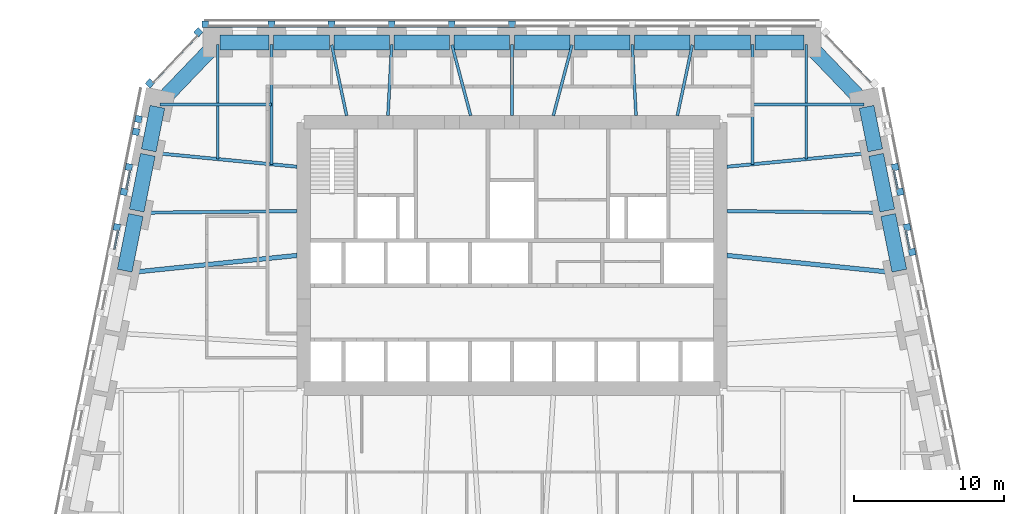
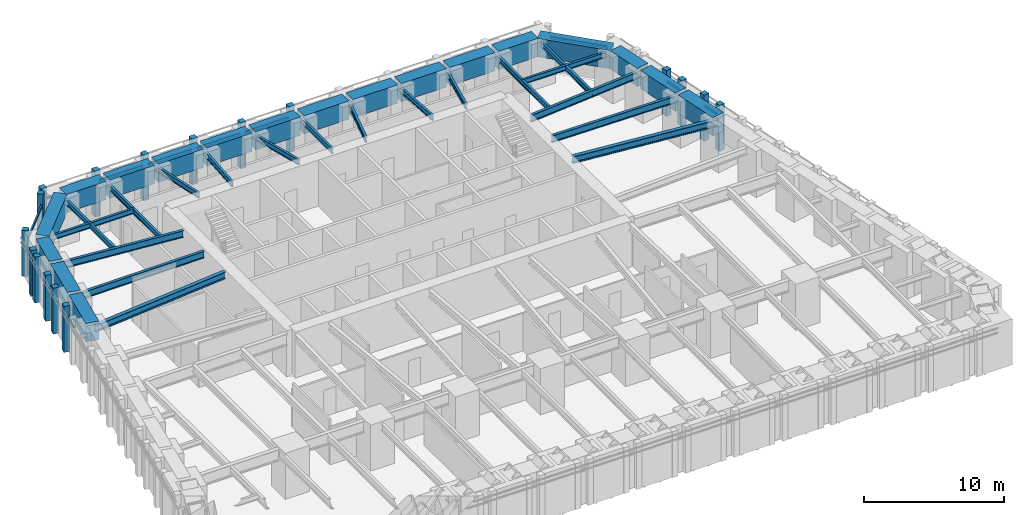
# One storey, part 4 of 16: 37 beams, 28 members, 8 elements without a shape of their own.
"""IFC4 building model written with IfcOpenShell, lengths in metres."""

from ifc_helpers import new_model, si_unit, direction, frame, origin, origin_2d, place, context, subcontext, project, spatial, rectangle, i_section, extrude, material, material_profile, profile_set, type_object, element, aggregate, save


model = new_model("IFC4")

# Units and contexts
model_context = context("Model", 3, precision=1e-05, world=origin(), true_north=direction((0.0, 1.0)))
body_context = subcontext(model_context, "Body", "Model", "MODEL_VIEW")
ifc_project = project(units=[si_unit("LENGTHUNIT", "METRE"), si_unit("AREAUNIT", "SQUARE_METRE"), si_unit("VOLUMEUNIT", "CUBIC_METRE"), si_unit("PLANEANGLEUNIT", "RADIAN"), si_unit("MASSUNIT", "GRAM", prefix="KILO")], contexts=[model_context])

# Site, building, storey
site_placement = place(None, origin())
site = spatial("IfcSite", under=ifc_project, at=site_placement, CompositionType="ELEMENT")
building_placement = place(site_placement, origin())
building = spatial("IfcBuilding", under=site, at=building_placement, Name="Isbrekke Arena Tower", CompositionType="ELEMENT")
storey_placement = place(building_placement, frame((0.0, 0.0, 32.0)))
storey = spatial("IfcBuildingStorey", under=building, at=storey_placement, Name="L05", CompositionType="ELEMENT", Elevation=32.0)

# Beams
ifc_material_1 = material(Name="Steel S355", Category="steel")
ifc_material_profile_1 = material_profile(ifc_material_1, i_section(OverallWidth=0.219970703125, OverallDepth=0.60009765625, WebThickness=0.011962890625, FlangeThickness=0.01904296875, FilletRadius=0.02392578125, at=origin_2d()), Name="IPE 600")
ifc_profile_set_1 = profile_set([ifc_material_profile_1], Name="Steel S355")
beam_type_1 = type_object("IfcBeamType", Name="B1 IPE 600", PredefinedType="BEAM", material=ifc_profile_set_1)
beam_1_placement = place(storey_placement, frame((24.83984375, 17.838134765625, 3.550048828125), z_axis=(-0.999943729589, 0.010608376645, 0.0), x_axis=(-0.010608376645, -0.999943729589, 0.0)))
element("IfcBeam", 1, at=beam_1_placement, inside=storey, type_object=beam_type_1, Name="B1 beam E-E09 L05", PredefinedType="BEAM", context=body_context, shape_type="SweptSolid", body=[
    extrude(i_section(OverallWidth=0.219970703125, OverallDepth=0.60009765625, WebThickness=0.011962890625, FlangeThickness=0.01904296875, FilletRadius=0.02392578125, at=origin_2d()), origin(), (0.0, 0.0, 1.0), 10.540283203125),
])
for number, where, z_axis, x_axis, name in (
    (2, (24.030517578125, 21.837158203125, 3.550048828125), (-0.995393091527, -0.095878012805, 0.0), (0.095878012805, -0.995393091527, 0.0), "B1 beam E-E10 L05"),
    (3, (-24.030517578125, 21.837158203125, 3.550048828125), (0.995393091527, -0.095878012805, 0.0), (0.095878012805, 0.995393091527, 0.0), "B1 beam E-W02 L05"),
):
    element("IfcBeam", number, at=place(storey_placement, frame(where, z_axis=z_axis, x_axis=x_axis)), inside=storey, type_object=beam_type_1, Name=name, PredefinedType="BEAM", context=body_context, shape_type="SweptSolid", body=[
        extrude(i_section(OverallWidth=0.219970703125, OverallDepth=0.60009765625, WebThickness=0.011962890625, FlangeThickness=0.01904296875, FilletRadius=0.02392578125, at=origin_2d()), origin(), (0.0, 0.0, 1.0), 9.775390625),
    ])
beam_2_placement = place(storey_placement, frame((-24.83984375, 17.838134765625, 3.550048828125), z_axis=(0.999943729589, 0.010608376645, 0.0), x_axis=(-0.010608376645, 0.999943729589, 0.0)))
element("IfcBeam", 4, at=beam_2_placement, inside=storey, type_object=beam_type_1, Name="B1 beam E-W03 L05", PredefinedType="BEAM", context=body_context, shape_type="SweptSolid", body=[
    extrude(i_section(OverallWidth=0.219970703125, OverallDepth=0.60009765625, WebThickness=0.011962890625, FlangeThickness=0.01904296875, FilletRadius=0.02392578125, at=origin_2d()), origin(), (0.0, 0.0, 1.0), 10.540283203125),
])
ifc_material_2 = material(Name="Steel S355", Category="steel")
ifc_material_profile_2 = material_profile(ifc_material_2, i_section(OverallWidth=0.18994140625, OverallDepth=0.449951171875, WebThickness=0.009521484375, FlangeThickness=0.0146484375, FilletRadius=0.02099609375, at=origin_2d()), Name="IPE 450")
ifc_profile_set_2 = profile_set([ifc_material_profile_2], Name="Steel S355")
beam_type_2 = type_object("IfcBeamType", Name="B2 IPE 450", PredefinedType="BEAM", material=ifc_profile_set_2)
for number, where, z_axis, x_axis, name in (
    (5, (23.40283203125, 25.029296875, 3.625), (-1.0, 0.0, 0.0), (0.0, -1.0, 0.0), "B2 beam E-E11 L05"),
    (6, (-23.40283203125, 25.029296875, 3.625), (1.0, 0.0, 0.0), (0.0, 1.0, 0.0), "B2 beam E-W01 L05"),
):
    element("IfcBeam", number, at=place(storey_placement, frame(where, z_axis=z_axis, x_axis=x_axis)), inside=storey, type_object=beam_type_2, Name=name, PredefinedType="BEAM", context=body_context, shape_type="SweptSolid", body=[
        extrude(i_section(OverallWidth=0.18994140625, OverallDepth=0.449951171875, WebThickness=0.009521484375, FlangeThickness=0.0146484375, FilletRadius=0.02099609375, at=origin_2d()), origin(), (0.0, 0.0, 1.0), 7.40283203125),
    ])
ifc_material_3 = material(Name="Steel S355", Category="steel")
ifc_material_profile_3 = material_profile(ifc_material_3, i_section(OverallWidth=0.18994140625, OverallDepth=0.449951171875, WebThickness=0.009521484375, FlangeThickness=0.0146484375, FilletRadius=0.02099609375, at=origin_2d()), Name="IPE 450")
ifc_profile_set_3 = profile_set([ifc_material_profile_3], Name="Steel S355")
beam_type_3 = type_object("IfcBeamType", Name="B3 IPE 450", PredefinedType="BEAM", material=ifc_profile_set_3)
beam_3_placement = place(storey_placement, frame((19.574951171875, 29.02490234375, 3.625), z_axis=(0.0, -1.0, 0.0), x_axis=(1.0, 0.0, 0.0)))
element("IfcBeam", 7, at=beam_3_placement, inside=storey, type_object=beam_type_3, Name="B3 beam N-N01 L05", PredefinedType="BEAM", context=body_context, shape_type="SweptSolid", body=[
    extrude(i_section(OverallWidth=0.18994140625, OverallDepth=0.449951171875, WebThickness=0.009521484375, FlangeThickness=0.0146484375, FilletRadius=0.02099609375, at=origin_2d()), origin(), (0.0, 0.0, 1.0), 7.616943359375),
])
for number, where, z_axis, x_axis, name in (
    (8, (16.0, 29.02490234375, 3.625), (0.0, -1.0, 0.0), (1.0, 0.0, 0.0), "B3 beam N-N02 L05"),
    (9, (-16.0, 29.02490234375, 3.625), (0.0, -1.0, 0.0), (1.0, 0.0, 0.0), "B3 beam N-N10 L05"),
):
    element("IfcBeam", number, at=place(storey_placement, frame(where, z_axis=z_axis, x_axis=x_axis)), inside=storey, type_object=beam_type_3, Name=name, PredefinedType="BEAM", context=body_context, shape_type="SweptSolid", body=[
        extrude(i_section(OverallWidth=0.18994140625, OverallDepth=0.449951171875, WebThickness=0.009521484375, FlangeThickness=0.0146484375, FilletRadius=0.02099609375, at=origin_2d()), origin(), (0.0, 0.0, 1.0), 7.961181640625),
    ])
beam_4_placement = place(storey_placement, frame((-19.574951171875, 29.02490234375, 3.625), z_axis=(0.0, -1.0, 0.0), x_axis=(1.0, 0.0, 0.0)))
element("IfcBeam", 10, at=beam_4_placement, inside=storey, type_object=beam_type_3, Name="B3 beam N-N11 L05", PredefinedType="BEAM", context=body_context, shape_type="SweptSolid", body=[
    extrude(i_section(OverallWidth=0.18994140625, OverallDepth=0.449951171875, WebThickness=0.009521484375, FlangeThickness=0.0146484375, FilletRadius=0.02099609375, at=origin_2d()), origin(), (0.0, 0.0, 1.0), 7.616943359375),
])
beam_5_placement = place(storey_placement, frame((11.995849609375, 29.005859375, 3.625), z_axis=(-0.207036135686, -0.978333296234, 0.0), x_axis=(0.978333296234, -0.207036135686, 0.0)))
element("IfcBeam", 11, at=beam_5_placement, inside=storey, type_object=beam_type_3, Name="B3 beam N-N03 L05", PredefinedType="BEAM", context=body_context, shape_type="SweptSolid", body=[
    extrude(i_section(OverallWidth=0.18994140625, OverallDepth=0.449951171875, WebThickness=0.009521484375, FlangeThickness=0.0146484375, FilletRadius=0.02099609375, at=origin_2d()), origin(), (0.0, 0.0, 1.0), 4.81005859375),
])
beam_6_placement = place(storey_placement, frame((8.000244140625, 29.02001953125, 3.625), z_axis=(0.05284078094, -0.998602950061, 0.0), x_axis=(0.998602950061, 0.05284078094, 0.0)))
element("IfcBeam", 12, at=beam_6_placement, inside=storey, type_object=beam_type_3, Name="B3 beam N-N04 L05", PredefinedType="BEAM", context=body_context, shape_type="SweptSolid", body=[
    extrude(i_section(OverallWidth=0.18994140625, OverallDepth=0.449951171875, WebThickness=0.009521484375, FlangeThickness=0.0146484375, FilletRadius=0.02099609375, at=origin_2d()), origin(), (0.0, 0.0, 1.0), 4.7265625),
])
beam_7_placement = place(storey_placement, frame((3.993896484375, 29.00146484375, 3.625), z_axis=(-0.255778031922, -0.966735536942, 0.0), x_axis=(0.966735536942, -0.255778031922, 0.0)))
element("IfcBeam", 13, at=beam_7_placement, inside=storey, type_object=beam_type_3, Name="B3 beam N-N05 L05", PredefinedType="BEAM", context=body_context, shape_type="SweptSolid", body=[
    extrude(i_section(OverallWidth=0.18994140625, OverallDepth=0.449951171875, WebThickness=0.009521484375, FlangeThickness=0.0146484375, FilletRadius=0.02099609375, at=origin_2d()), origin(), (0.0, 0.0, 1.0), 4.86328125),
])
beam_8_placement = place(storey_placement, frame((0.0, 29.02490234375, 3.625), z_axis=(0.0, -1.0, 0.0), x_axis=(1.0, 0.0, 0.0)))
element("IfcBeam", 14, at=beam_8_placement, inside=storey, type_object=beam_type_3, Name="B3 beam N-N06 L05", PredefinedType="BEAM", context=body_context, shape_type="SweptSolid", body=[
    extrude(i_section(OverallWidth=0.18994140625, OverallDepth=0.449951171875, WebThickness=0.009521484375, FlangeThickness=0.0146484375, FilletRadius=0.02099609375, at=origin_2d()), origin(), (0.0, 0.0, 1.0), 4.724853515625),
])
beam_9_placement = place(storey_placement, frame((-3.993896484375, 29.00146484375, 3.625), z_axis=(0.255778031922, -0.966735536942, 0.0), x_axis=(0.966735536942, 0.255778031922, 0.0)))
element("IfcBeam", 15, at=beam_9_placement, inside=storey, type_object=beam_type_3, Name="B3 beam N-N07 L05", PredefinedType="BEAM", context=body_context, shape_type="SweptSolid", body=[
    extrude(i_section(OverallWidth=0.18994140625, OverallDepth=0.449951171875, WebThickness=0.009521484375, FlangeThickness=0.0146484375, FilletRadius=0.02099609375, at=origin_2d()), origin(), (0.0, 0.0, 1.0), 4.86328125),
])
beam_10_placement = place(storey_placement, frame((-8.000244140625, 29.02001953125, 3.625), z_axis=(-0.05284078094, -0.998602950061, 0.0), x_axis=(0.998602950061, -0.05284078094, 0.0)))
element("IfcBeam", 16, at=beam_10_placement, inside=storey, type_object=beam_type_3, Name="B3 beam N-N08 L05", PredefinedType="BEAM", context=body_context, shape_type="SweptSolid", body=[
    extrude(i_section(OverallWidth=0.18994140625, OverallDepth=0.449951171875, WebThickness=0.009521484375, FlangeThickness=0.0146484375, FilletRadius=0.02099609375, at=origin_2d()), origin(), (0.0, 0.0, 1.0), 4.7265625),
])
beam_11_placement = place(storey_placement, frame((-11.995849609375, 29.005859375, 3.625), z_axis=(0.207036135686, -0.978333296234, 0.0), x_axis=(0.978333296234, 0.207036135686, 0.0)))
element("IfcBeam", 17, at=beam_11_placement, inside=storey, type_object=beam_type_3, Name="B3 beam N-N09 L05", PredefinedType="BEAM", context=body_context, shape_type="SweptSolid", body=[
    extrude(i_section(OverallWidth=0.18994140625, OverallDepth=0.449951171875, WebThickness=0.009521484375, FlangeThickness=0.0146484375, FilletRadius=0.02099609375, at=origin_2d()), origin(), (0.0, 0.0, 1.0), 4.81005859375),
])
ifc_material_4 = material(Name="Steel S355", Category="steel")
ifc_material_profile_4 = material_profile(ifc_material_4, i_section(OverallWidth=0.300048828125, OverallDepth=0.60009765625, WebThickness=0.015380859375, FlangeThickness=0.030029296875, FilletRadius=0.027099609375, at=origin_2d()), Name="HEB 600")
ifc_profile_set_4 = profile_set([ifc_material_profile_4], Name="Steel S355")
beam_type_4 = type_object("IfcBeamType", Name="B7 HEB 600", PredefinedType="BEAM", material=ifc_profile_set_4)
for number, where, z_axis, x_axis, name in (
    (18, (25.625732421875, 13.83984375, 3.550048828125), (-0.994794378016, 0.101902627384, 0.0), (-0.101902627384, -0.994794378016, 0.0), "B7 beam E-E08 L05"),
    (19, (-25.625732421875, 13.83984375, 3.550048828125), (0.994794378016, 0.101902627384, 0.0), (-0.101902627384, 0.994794378016, 0.0), "B7 beam E-W04 L05"),
):
    element("IfcBeam", number, at=place(storey_placement, frame(where, z_axis=z_axis, x_axis=x_axis)), inside=storey, type_object=beam_type_4, Name=name, PredefinedType="BEAM", context=body_context, shape_type="SweptSolid", body=[
        extrude(i_section(OverallWidth=0.300048828125, OverallDepth=0.60009765625, WebThickness=0.015380859375, FlangeThickness=0.030029296875, FilletRadius=0.027099609375, at=origin_2d()), origin(), (0.0, 0.0, 1.0), 11.385009765625),
    ])

# Curtain wall, members
ifc_material_5 = material(Name="Glazed aluminium curtain wall", Category="aluminium")
curtain_wall_type = type_object("IfcCurtainWallType", Name="CWL TOWER CURTAIN WALL LOW ZONE", PredefinedType="USERDEFINED", material=ifc_material_5)
curtain_wall_1_placement = place(storey_placement, origin())
curtain_wall_1 = element("IfcCurtainWall", 20, at=curtain_wall_1_placement, inside=storey, type_object=curtain_wall_type, Name="CWL curtain wall L05-E15", ObjectType="TOWER CURTAIN WALL LOW ZONE", PredefinedType="USERDEFINED")
ifc_material_6 = material(Name="Aluminium mullion, pale brick slip cladding", Category="masonry")
ifc_material_profile_5 = material_profile(ifc_material_6, rectangle(XDim=0.449951171875, YDim=0.449951171875, at=origin_2d()), Name="PIER 450X450")
ifc_profile_set_5 = profile_set([ifc_material_profile_5], Name="Aluminium mullion, pale brick slip cladding")
member_type_1 = type_object("IfcMemberType", Name="CWL-M PIER MULLION 450 x 450", PredefinedType="MULLION", material=ifc_profile_set_5)
member_1_placement = place(storey_placement, frame((26.60986328125, 15.225830078125, 0.0), z_axis=(0.0, 0.0, 1.0), x_axis=(-0.196116135138, 0.980580675691, 0.0)))
member_1 = element("IfcMember", 21, at=member_1_placement, type_object=member_type_1, Name="CWL-M mullion 1", PredefinedType="MULLION", context=body_context, shape_type="SweptSolid", body=[
    extrude(rectangle(XDim=0.449951171875, YDim=0.449951171875, at=origin_2d()), origin(), (0.0, 0.0, 1.0), 4.0),
])
member_2_placement = place(storey_placement, frame((26.280517578125, 16.872314453125, 0.0), z_axis=(0.0, 0.0, 1.0), x_axis=(-0.196116135138, 0.980580675691, 0.0)))
member_2 = element("IfcMember", 22, at=member_2_placement, type_object=member_type_1, Name="CWL-M mullion 2", PredefinedType="MULLION", context=body_context, shape_type="SweptSolid", body=[
    extrude(rectangle(XDim=0.449951171875, YDim=0.449951171875, at=origin_2d()), origin(), (0.0, 0.0, 1.0), 4.0),
])

curtain_wall_2_placement = place(storey_placement, origin())
curtain_wall_2 = element("IfcCurtainWall", 23, at=curtain_wall_2_placement, inside=storey, type_object=curtain_wall_type, Name="CWL curtain wall L05-E17", ObjectType="TOWER CURTAIN WALL LOW ZONE", PredefinedType="USERDEFINED")
member_3_placement = place(storey_placement, frame((25.809814453125, 19.225830078125, 0.0), z_axis=(0.0, 0.0, 1.0), x_axis=(-0.196116135138, 0.980580675691, 0.0)))
member_3 = element("IfcMember", 24, at=member_3_placement, type_object=member_type_1, Name="CWL-M mullion 1", PredefinedType="MULLION", context=body_context, shape_type="SweptSolid", body=[
    extrude(rectangle(XDim=0.449951171875, YDim=0.449951171875, at=origin_2d()), origin(), (0.0, 0.0, 1.0), 4.0),
])
member_4_placement = place(storey_placement, frame((25.48046875, 20.872314453125, 0.0), z_axis=(0.0, 0.0, 1.0), x_axis=(-0.196116135138, 0.980580675691, 0.0)))
member_4 = element("IfcMember", 25, at=member_4_placement, type_object=member_type_1, Name="CWL-M mullion 2", PredefinedType="MULLION", context=body_context, shape_type="SweptSolid", body=[
    extrude(rectangle(XDim=0.449951171875, YDim=0.449951171875, at=origin_2d()), origin(), (0.0, 0.0, 1.0), 4.0),
])

curtain_wall_3_placement = place(storey_placement, origin())
curtain_wall_3 = element("IfcCurtainWall", 26, at=curtain_wall_3_placement, inside=storey, type_object=curtain_wall_type, Name="CWL curtain wall L05-N", ObjectType="TOWER CURTAIN WALL LOW ZONE", PredefinedType="USERDEFINED")
member_5_placement = place(storey_placement, frame((0.0, 30.375, 0.0), z_axis=(0.0, 0.0, 1.0), x_axis=(-1.0, 0.0, 0.0)))
member_5 = element("IfcMember", 27, at=member_5_placement, type_object=member_type_1, Name="CWL-M mullion 6", PredefinedType="MULLION", context=body_context, shape_type="SweptSolid", body=[
    extrude(rectangle(XDim=0.449951171875, YDim=0.449951171875, at=origin_2d()), origin(), (0.0, 0.0, 1.0), 4.0),
])
member_6_placement = place(storey_placement, frame((-4.0, 30.375, 0.0), z_axis=(0.0, 0.0, 1.0), x_axis=(-1.0, 0.0, 0.0)))
member_6 = element("IfcMember", 28, at=member_6_placement, type_object=member_type_1, Name="CWL-M mullion 7", PredefinedType="MULLION", context=body_context, shape_type="SweptSolid", body=[
    extrude(rectangle(XDim=0.449951171875, YDim=0.449951171875, at=origin_2d()), origin(), (0.0, 0.0, 1.0), 4.0),
])
member_7_placement = place(storey_placement, frame((-8.0, 30.375, 0.0), z_axis=(0.0, 0.0, 1.0), x_axis=(-1.0, 0.0, 0.0)))
member_7 = element("IfcMember", 29, at=member_7_placement, type_object=member_type_1, Name="CWL-M mullion 8", PredefinedType="MULLION", context=body_context, shape_type="SweptSolid", body=[
    extrude(rectangle(XDim=0.449951171875, YDim=0.449951171875, at=origin_2d()), origin(), (0.0, 0.0, 1.0), 4.0),
])
member_8_placement = place(storey_placement, frame((-12.0, 30.375, 0.0), z_axis=(0.0, 0.0, 1.0), x_axis=(-1.0, 0.0, 0.0)))
member_8 = element("IfcMember", 30, at=member_8_placement, type_object=member_type_1, Name="CWL-M mullion 9", PredefinedType="MULLION", context=body_context, shape_type="SweptSolid", body=[
    extrude(rectangle(XDim=0.449951171875, YDim=0.449951171875, at=origin_2d()), origin(), (0.0, 0.0, 1.0), 4.0),
])
member_9_placement = place(storey_placement, frame((-16.0, 30.375, 0.0), z_axis=(0.0, 0.0, 1.0), x_axis=(-1.0, 0.0, 0.0)))
member_9 = element("IfcMember", 31, at=member_9_placement, type_object=member_type_1, Name="CWL-M mullion 10", PredefinedType="MULLION", context=body_context, shape_type="SweptSolid", body=[
    extrude(rectangle(XDim=0.449951171875, YDim=0.449951171875, at=origin_2d()), origin(), (0.0, 0.0, 1.0), 4.0),
])
member_10_placement = place(storey_placement, frame((-20.39990234375, 30.375, 0.0), z_axis=(0.0, 0.0, 1.0), x_axis=(-1.0, 0.0, 0.0)))
member_10 = element("IfcMember", 32, at=member_10_placement, type_object=member_type_1, Name="CWL-M mullion 11", PredefinedType="MULLION", context=body_context, shape_type="SweptSolid", body=[
    extrude(rectangle(XDim=0.449951171875, YDim=0.449951171875, at=origin_2d()), origin(), (0.0, 0.0, 1.0), 4.0),
])

curtain_wall_4_placement = place(storey_placement, origin())
curtain_wall_4 = element("IfcCurtainWall", 33, at=curtain_wall_4_placement, inside=storey, type_object=curtain_wall_type, Name="CWL curtain wall L05-NW", ObjectType="TOWER CURTAIN WALL LOW ZONE", PredefinedType="USERDEFINED")
member_11_placement = place(storey_placement, frame((-20.86572265625, 29.83642578125, 0.0), z_axis=(0.0, 0.0, 1.0), x_axis=(-0.68874946192, -0.72499943359, 0.0)))
member_11 = element("IfcMember", 34, at=member_11_placement, type_object=member_type_1, Name="CWL-M mullion 1", PredefinedType="MULLION", context=body_context, shape_type="SweptSolid", body=[
    extrude(rectangle(XDim=0.449951171875, YDim=0.449951171875, at=origin_2d()), origin(), (0.0, 0.0, 1.0), 4.0),
])
member_12_placement = place(storey_placement, frame((-24.087890625, 26.44482421875, 0.0), z_axis=(0.0, 0.0, 1.0), x_axis=(-0.68874946192, -0.72499943359, 0.0)))
member_12 = element("IfcMember", 35, at=member_12_placement, type_object=member_type_1, Name="CWL-M mullion 2", PredefinedType="MULLION", context=body_context, shape_type="SweptSolid", body=[
    extrude(rectangle(XDim=0.449951171875, YDim=0.449951171875, at=origin_2d()), origin(), (0.0, 0.0, 1.0), 4.0),
])

curtain_wall_5_placement = place(storey_placement, origin())
curtain_wall_5 = element("IfcCurtainWall", 36, at=curtain_wall_5_placement, inside=storey, type_object=curtain_wall_type, Name="CWL curtain wall L05-W", ObjectType="TOWER CURTAIN WALL LOW ZONE", PredefinedType="USERDEFINED")
member_13_placement = place(storey_placement, frame((-24.841796875, 24.065185546875, 0.0), z_axis=(0.0, 0.0, 1.0), x_axis=(-0.196116135138, -0.980580675691, 0.0)))
member_13 = element("IfcMember", 37, at=member_13_placement, type_object=member_type_1, Name="CWL-M mullion 1", PredefinedType="MULLION", context=body_context, shape_type="SweptSolid", body=[
    extrude(rectangle(XDim=0.449951171875, YDim=0.449951171875, at=origin_2d()), origin(), (0.0, 0.0, 1.0), 4.0),
])
member_14_placement = place(storey_placement, frame((-25.009765625, 23.225830078125, 0.0), z_axis=(0.0, 0.0, 1.0), x_axis=(-0.196116135138, -0.980580675691, 0.0)))
member_14 = element("IfcMember", 38, at=member_14_placement, type_object=member_type_1, Name="CWL-M mullion 2", PredefinedType="MULLION", context=body_context, shape_type="SweptSolid", body=[
    extrude(rectangle(XDim=0.449951171875, YDim=0.449951171875, at=origin_2d()), origin(), (0.0, 0.0, 1.0), 4.0),
])
aggregate(curtain_wall_5, [member_13, member_14])

curtain_wall_6_placement = place(storey_placement, origin())
curtain_wall_6 = element("IfcCurtainWall", 39, at=curtain_wall_6_placement, inside=storey, type_object=curtain_wall_type, Name="CWL curtain wall L05-W3", ObjectType="TOWER CURTAIN WALL LOW ZONE", PredefinedType="USERDEFINED")
member_15_placement = place(storey_placement, frame((-25.48046875, 20.872314453125, 0.0), z_axis=(0.0, 0.0, 1.0), x_axis=(-0.196116135138, -0.980580675691, 0.0)))
member_15 = element("IfcMember", 40, at=member_15_placement, type_object=member_type_1, Name="CWL-M mullion 1", PredefinedType="MULLION", context=body_context, shape_type="SweptSolid", body=[
    extrude(rectangle(XDim=0.449951171875, YDim=0.449951171875, at=origin_2d()), origin(), (0.0, 0.0, 1.0), 4.0),
])
member_16_placement = place(storey_placement, frame((-25.809814453125, 19.225830078125, 0.0), z_axis=(0.0, 0.0, 1.0), x_axis=(-0.196116135138, -0.980580675691, 0.0)))
member_16 = element("IfcMember", 41, at=member_16_placement, type_object=member_type_1, Name="CWL-M mullion 2", PredefinedType="MULLION", context=body_context, shape_type="SweptSolid", body=[
    extrude(rectangle(XDim=0.449951171875, YDim=0.449951171875, at=origin_2d()), origin(), (0.0, 0.0, 1.0), 4.0),
])

# Curtain wall, member
curtain_wall_7_placement = place(storey_placement, origin())
curtain_wall_7 = element("IfcCurtainWall", 42, at=curtain_wall_7_placement, inside=storey, type_object=curtain_wall_type, Name="CWL curtain wall L05-W5", ObjectType="TOWER CURTAIN WALL LOW ZONE", PredefinedType="USERDEFINED")
member_17_placement = place(storey_placement, frame((-26.280517578125, 16.872314453125, 0.0), z_axis=(0.0, 0.0, 1.0), x_axis=(-0.196116135138, -0.980580675691, 0.0)))
member_17 = element("IfcMember", 43, at=member_17_placement, type_object=member_type_1, Name="CWL-M mullion 1", PredefinedType="MULLION", context=body_context, shape_type="SweptSolid", body=[
    extrude(rectangle(XDim=0.449951171875, YDim=0.449951171875, at=origin_2d()), origin(), (0.0, 0.0, 1.0), 4.0),
])

# Member
ifc_material_7 = material(Name="Aluminium transom", Category="aluminium")
ifc_material_profile_6 = material_profile(ifc_material_7, rectangle(XDim=0.1201171875, YDim=0.199951171875, at=origin_2d()), Name="TRANSOM 120X200")
ifc_profile_set_6 = profile_set([ifc_material_profile_6], Name="Aluminium transom")
member_type_2 = type_object("IfcMemberType", Name="CWL-T TRANSOM 120 x 200", PredefinedType="USERDEFINED", material=ifc_profile_set_6)
member_18_placement = place(storey_placement, frame((26.443115234375, 15.421875, 3.0), z_axis=(-0.196039741533, 0.980595951317, 0.0), x_axis=(-0.980595951317, -0.196039741533, 0.0)))
member_18 = element("IfcMember", 44, at=member_18_placement, type_object=member_type_2, Name="CWL-T transom 1", ObjectType="TRANSOM", PredefinedType="USERDEFINED", context=body_context, shape_type="SweptSolid", body=[
    extrude(rectangle(XDim=0.1201171875, YDim=0.199951171875, at=origin_2d()), origin(), (0.0, 0.0, 1.0), 1.229248046875),
])

aggregate(curtain_wall_1, [member_1, member_2, member_18])

member_19_placement = place(storey_placement, frame((25.64306640625, 19.421875, 3.0), z_axis=(-0.196039741533, 0.980595951317, 0.0), x_axis=(-0.980595951317, -0.196039741533, 0.0)))
member_19 = element("IfcMember", 45, at=member_19_placement, type_object=member_type_2, Name="CWL-T transom 1", ObjectType="TRANSOM", PredefinedType="USERDEFINED", context=body_context, shape_type="SweptSolid", body=[
    extrude(rectangle(XDim=0.1201171875, YDim=0.199951171875, at=origin_2d()), origin(), (0.0, 0.0, 1.0), 1.229248046875),
])

aggregate(curtain_wall_2, [member_3, member_4, member_19])

# Curtain wall, member
curtain_wall_8_placement = place(storey_placement, origin())
curtain_wall_8 = element("IfcCurtainWall", 46, at=curtain_wall_8_placement, inside=storey, type_object=curtain_wall_type, Name="CWL curtain wall L05-EN", ObjectType="TOWER CURTAIN WALL LOW ZONE", PredefinedType="USERDEFINED")
member_20_placement = place(storey_placement, frame((23.8427734375, 26.521240234375, 3.0), z_axis=(-0.688776771287, 0.724973488712, 0.0), x_axis=(-0.724973488712, -0.688776771287, 0.0)))
member_20 = element("IfcMember", 47, at=member_20_placement, type_object=member_type_2, Name="CWL-T transom 1", ObjectType="TRANSOM", PredefinedType="USERDEFINED", context=body_context, shape_type="SweptSolid", body=[
    extrude(rectangle(XDim=0.1201171875, YDim=0.199951171875, at=origin_2d()), origin(), (0.0, 0.0, 1.0), 4.22900390625),
])
aggregate(curtain_wall_8, [member_20])

# Member
member_21_placement = place(storey_placement, frame((-0.22509765625, 30.25, 3.0), z_axis=(-1.0, 0.0, 0.0), x_axis=(0.0, -1.0, 0.0)))
member_21 = element("IfcMember", 48, at=member_21_placement, type_object=member_type_2, Name="CWL-T transom 6", ObjectType="TRANSOM", PredefinedType="USERDEFINED", context=body_context, shape_type="SweptSolid", body=[
    extrude(rectangle(XDim=0.1201171875, YDim=0.199951171875, at=origin_2d()), origin(), (0.0, 0.0, 1.0), 3.5498046875),
])

member_22_placement = place(storey_placement, frame((-4.22509765625, 30.25, 3.0), z_axis=(-1.0, 0.0, 0.0), x_axis=(0.0, -1.0, 0.0)))
member_22 = element("IfcMember", 49, at=member_22_placement, type_object=member_type_2, Name="CWL-T transom 7", ObjectType="TRANSOM", PredefinedType="USERDEFINED", context=body_context, shape_type="SweptSolid", body=[
    extrude(rectangle(XDim=0.1201171875, YDim=0.199951171875, at=origin_2d()), origin(), (0.0, 0.0, 1.0), 3.5498046875),
])

member_23_placement = place(storey_placement, frame((-8.22509765625, 30.25, 3.0), z_axis=(-1.0, 0.0, 0.0), x_axis=(0.0, -1.0, 0.0)))
member_23 = element("IfcMember", 50, at=member_23_placement, type_object=member_type_2, Name="CWL-T transom 8", ObjectType="TRANSOM", PredefinedType="USERDEFINED", context=body_context, shape_type="SweptSolid", body=[
    extrude(rectangle(XDim=0.1201171875, YDim=0.199951171875, at=origin_2d()), origin(), (0.0, 0.0, 1.0), 3.5498046875),
])

member_24_placement = place(storey_placement, frame((-12.22509765625, 30.25, 3.0), z_axis=(-1.0, 0.0, 0.0), x_axis=(0.0, -1.0, 0.0)))
member_24 = element("IfcMember", 51, at=member_24_placement, type_object=member_type_2, Name="CWL-T transom 9", ObjectType="TRANSOM", PredefinedType="USERDEFINED", context=body_context, shape_type="SweptSolid", body=[
    extrude(rectangle(XDim=0.1201171875, YDim=0.199951171875, at=origin_2d()), origin(), (0.0, 0.0, 1.0), 3.5498046875),
])

member_25_placement = place(storey_placement, frame((-16.22509765625, 30.25, 3.0), z_axis=(-1.0, 0.0, 0.0), x_axis=(0.0, -1.0, 0.0)))
member_25 = element("IfcMember", 52, at=member_25_placement, type_object=member_type_2, Name="CWL-T transom 10", ObjectType="TRANSOM", PredefinedType="USERDEFINED", context=body_context, shape_type="SweptSolid", body=[
    extrude(rectangle(XDim=0.1201171875, YDim=0.199951171875, at=origin_2d()), origin(), (0.0, 0.0, 1.0), 3.949951171875),
])

aggregate(curtain_wall_3, [member_5, member_6, member_7, member_8, member_9, member_10, member_21, member_22, member_23, member_24, member_25])

member_26_placement = place(storey_placement, frame((-20.93017578125, 29.587158203125, 3.0), z_axis=(-0.6887433918, -0.725005200155, 0.0), x_axis=(0.725005200155, -0.6887433918, 0.0)))
member_26 = element("IfcMember", 53, at=member_26_placement, type_object=member_type_2, Name="CWL-T transom 1", ObjectType="TRANSOM", PredefinedType="USERDEFINED", context=body_context, shape_type="SweptSolid", body=[
    extrude(rectangle(XDim=0.1201171875, YDim=0.199951171875, at=origin_2d()), origin(), (0.0, 0.0, 1.0), 4.22802734375),
])

aggregate(curtain_wall_4, [member_11, member_12, member_26])

member_27_placement = place(storey_placement, frame((-25.402099609375, 20.627197265625, 3.0), z_axis=(-0.196039741533, -0.980595951317, 0.0), x_axis=(0.980595951317, -0.196039741533, 0.0)))
member_27 = element("IfcMember", 54, at=member_27_placement, type_object=member_type_2, Name="CWL-T transom 1", ObjectType="TRANSOM", PredefinedType="USERDEFINED", context=body_context, shape_type="SweptSolid", body=[
    extrude(rectangle(XDim=0.1201171875, YDim=0.199951171875, at=origin_2d()), origin(), (0.0, 0.0, 1.0), 1.229248046875),
])

aggregate(curtain_wall_6, [member_15, member_16, member_27])

member_28_placement = place(storey_placement, frame((-26.2021484375, 16.627197265625, 3.0), z_axis=(-0.196039741533, -0.980595951317, 0.0), x_axis=(0.980595951317, -0.196039741533, 0.0)))
member_28 = element("IfcMember", 55, at=member_28_placement, type_object=member_type_2, Name="CWL-T transom 1", ObjectType="TRANSOM", PredefinedType="USERDEFINED", context=body_context, shape_type="SweptSolid", body=[
    extrude(rectangle(XDim=0.1201171875, YDim=0.199951171875, at=origin_2d()), origin(), (0.0, 0.0, 1.0), 1.229248046875),
])

aggregate(curtain_wall_7, [member_17, member_28])

# Beams
ifc_material_8 = material(Name="Concrete B90 (C90/105)", Category="concrete")
ifc_material_profile_7 = material_profile(ifc_material_8, rectangle(XDim=1.0, YDim=1.60009765625, at=origin_2d()), Name="RC 1000x1600")
ifc_profile_set_7 = profile_set([ifc_material_profile_7], Name="Concrete B90 (C90/105)")
beam_type_5 = type_object("IfcBeamType", Name="SB1 RC 1000 x 1600", PredefinedType="SPANDREL", material=ifc_profile_set_7)
for number, where, z_axis, x_axis, name in (
    (56, (25.76171875, 13.9853515625, 3.199951171875), (-0.196128558387, 0.980578190959, 0.0), (-0.980578190959, -0.196128558387, 0.0), "SB1 spandrel E08-E09 L05"),
    (57, (24.961669921875, 17.9853515625, 3.199951171875), (-0.196128558387, 0.980578190959, 0.0), (-0.980578190959, -0.196128558387, 0.0), "SB1 spandrel E09-E10 L05"),
):
    element("IfcBeam", number, at=place(storey_placement, frame(where, z_axis=z_axis, x_axis=x_axis)), inside=storey, type_object=beam_type_5, Name=name, PredefinedType="SPANDREL", context=body_context, shape_type="SweptSolid", body=[
        extrude(rectangle(XDim=1.0, YDim=1.60009765625, at=origin_2d()), origin(), (0.0, 0.0, 1.0), 3.779296875),
    ])
beam_12_placement = place(storey_placement, frame((24.16162109375, 21.9853515625, 3.199951171875), z_axis=(-0.196116135138, 0.980580675691, 0.0), x_axis=(-0.980580675691, -0.196116135138, 0.0)))
element("IfcBeam", 58, at=beam_12_placement, inside=storey, type_object=beam_type_5, Name="SB1 spandrel E10-E11 L05", PredefinedType="SPANDREL", context=body_context, shape_type="SweptSolid", body=[
    extrude(rectangle(XDim=1.0, YDim=1.60009765625, at=origin_2d()), origin(), (0.0, 0.0, 1.0), 2.9541015625),
])
beam_13_placement = place(storey_placement, frame((23.448974609375, 25.137451171875, 3.199951171875), z_axis=(-0.692339547635, 0.721571861134, 0.0), x_axis=(-0.721571861134, -0.692339547635, 0.0)))
element("IfcBeam", 59, at=beam_13_placement, inside=storey, type_object=beam_type_5, Name="SB1 spandrel E11-N01 L05", PredefinedType="SPANDREL", context=body_context, shape_type="SweptSolid", body=[
    extrude(rectangle(XDim=1.0, YDim=1.60009765625, at=origin_2d()), origin(), (0.0, 0.0, 1.0), 5.4453125),
])
beam_14_placement = place(storey_placement, frame((19.425048828125, 29.175048828125, 3.199951171875), z_axis=(-1.0, 0.0, 0.0), x_axis=(0.0, -1.0, 0.0)))
element("IfcBeam", 60, at=beam_14_placement, inside=storey, type_object=beam_type_5, Name="SB1 spandrel N01-N02 L05", PredefinedType="SPANDREL", context=body_context, shape_type="SweptSolid", body=[
    extrude(rectangle(XDim=1.0, YDim=1.60009765625, at=origin_2d()), origin(), (0.0, 0.0, 1.0), 3.275146484375),
])
for number, where, z_axis, x_axis, name in (
    (61, (15.85009765625, 29.175048828125, 3.199951171875), (-1.0, 0.0, 0.0), (0.0, -1.0, 0.0), "SB1 spandrel N02-N03 L05"),
    (62, (11.85009765625, 29.175048828125, 3.199951171875), (-1.0, 0.0, 0.0), (0.0, -1.0, 0.0), "SB1 spandrel N03-N04 L05"),
    (63, (7.85009765625, 29.175048828125, 3.199951171875), (-1.0, 0.0, 0.0), (0.0, -1.0, 0.0), "SB1 spandrel N04-N05 L05"),
    (64, (3.85009765625, 29.175048828125, 3.199951171875), (-1.0, 0.0, 0.0), (0.0, -1.0, 0.0), "SB1 spandrel N05-N06 L05"),
    (65, (-0.14990234375, 29.175048828125, 3.199951171875), (-1.0, 0.0, 0.0), (0.0, -1.0, 0.0), "SB1 spandrel N06-N07 L05"),
    (66, (-4.14990234375, 29.175048828125, 3.199951171875), (-1.0, 0.0, 0.0), (0.0, -1.0, 0.0), "SB1 spandrel N07-N08 L05"),
    (67, (-8.14990234375, 29.175048828125, 3.199951171875), (-1.0, 0.0, 0.0), (0.0, -1.0, 0.0), "SB1 spandrel N08-N09 L05"),
    (68, (-12.14990234375, 29.175048828125, 3.199951171875), (-1.0, 0.0, 0.0), (0.0, -1.0, 0.0), "SB1 spandrel N09-N10 L05"),
):
    element("IfcBeam", number, at=place(storey_placement, frame(where, z_axis=z_axis, x_axis=x_axis)), inside=storey, type_object=beam_type_5, Name=name, PredefinedType="SPANDREL", context=body_context, shape_type="SweptSolid", body=[
        extrude(rectangle(XDim=1.0, YDim=1.60009765625, at=origin_2d()), origin(), (0.0, 0.0, 1.0), 3.7001953125),
    ])
beam_15_placement = place(storey_placement, frame((-16.14990234375, 29.175048828125, 3.199951171875), z_axis=(-1.0, 0.0, 0.0), x_axis=(0.0, -1.0, 0.0)))
element("IfcBeam", 69, at=beam_15_placement, inside=storey, type_object=beam_type_5, Name="SB1 spandrel N10-N11 L05", PredefinedType="SPANDREL", context=body_context, shape_type="SweptSolid", body=[
    extrude(rectangle(XDim=1.0, YDim=1.60009765625, at=origin_2d()), origin(), (0.0, 0.0, 1.0), 3.275146484375),
])
beam_16_placement = place(storey_placement, frame((-19.678955078125, 29.066650390625, 3.199951171875), z_axis=(-0.692339547635, -0.721571861134, 0.0), x_axis=(0.721571861134, -0.692339547635, 0.0)))
element("IfcBeam", 70, at=beam_16_placement, inside=storey, type_object=beam_type_5, Name="SB1 spandrel N11-W01 L05", PredefinedType="SPANDREL", context=body_context, shape_type="SweptSolid", body=[
    extrude(rectangle(XDim=1.0, YDim=1.60009765625, at=origin_2d()), origin(), (0.0, 0.0, 1.0), 5.4453125),
])
beam_17_placement = place(storey_placement, frame((-23.582275390625, 24.882080078125, 3.199951171875), z_axis=(-0.196116135138, -0.980580675691, 0.0), x_axis=(0.980580675691, -0.196116135138, 0.0)))
element("IfcBeam", 71, at=beam_17_placement, inside=storey, type_object=beam_type_5, Name="SB1 spandrel W01-W02 L05", PredefinedType="SPANDREL", context=body_context, shape_type="SweptSolid", body=[
    extrude(rectangle(XDim=1.0, YDim=1.60009765625, at=origin_2d()), origin(), (0.0, 0.0, 1.0), 2.9541015625),
])
for number, where, z_axis, x_axis, name in (
    (72, (-24.220458984375, 21.691162109375, 3.199951171875), (-0.196128558387, -0.980578190959, 0.0), (0.980578190959, -0.196128558387, 0.0), "SB1 spandrel W02-W03 L05"),
    (73, (-25.0205078125, 17.691162109375, 3.199951171875), (-0.196128558387, -0.980578190959, 0.0), (0.980578190959, -0.196128558387, 0.0), "SB1 spandrel W03-W04 L05"),
):
    element("IfcBeam", number, at=place(storey_placement, frame(where, z_axis=z_axis, x_axis=x_axis)), inside=storey, type_object=beam_type_5, Name=name, PredefinedType="SPANDREL", context=body_context, shape_type="SweptSolid", body=[
        extrude(rectangle(XDim=1.0, YDim=1.60009765625, at=origin_2d()), origin(), (0.0, 0.0, 1.0), 3.779296875),
    ])

save(model, "model.ifc")
